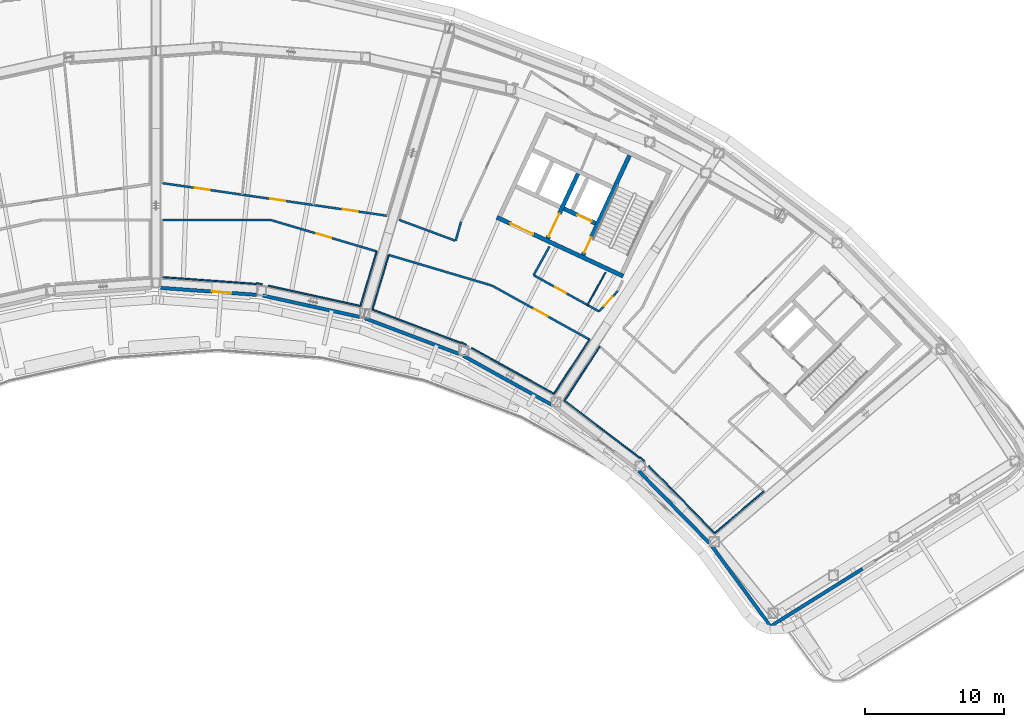
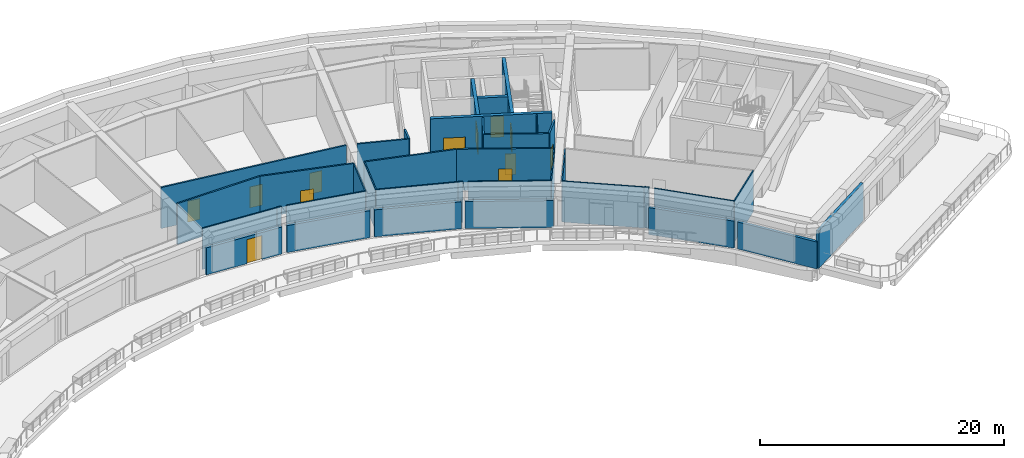
# One storey, part 10 of 26: 36 walls, 12 doors, 12 openings.
"""IFC4 building model written with IfcOpenShell, lengths in metres."""

from ifc_helpers import new_model, si_unit, direction, frame, frame_2d, origin, place, context, subcontext, project, spatial, rectangle, extrude, material, layer, layer_set, type_object, element, fill, save


model = new_model("IFC4")

# Units and contexts
model_context = context("Model", 3, precision=1e-05, world=origin(), true_north=direction((0.0, 1.0)))
body_context = subcontext(model_context, "Body", "Model", "MODEL_VIEW")
ifc_project = project(units=[si_unit("LENGTHUNIT", "METRE"), si_unit("AREAUNIT", "SQUARE_METRE"), si_unit("VOLUMEUNIT", "CUBIC_METRE"), si_unit("PLANEANGLEUNIT", "RADIAN"), si_unit("MASSUNIT", "GRAM", prefix="KILO")], contexts=[model_context])

# Site, building, storey
site_placement = place(None, origin())
site = spatial("IfcSite", under=ifc_project, at=site_placement, CompositionType="ELEMENT")
building_placement = place(site_placement, origin())
building = spatial("IfcBuilding", under=site, at=building_placement, Name="Tuul Gate Civic Tower", CompositionType="ELEMENT")
storey_placement = place(building_placement, frame((0.0, 0.0, 167.60009765625)))
storey = spatial("IfcBuildingStorey", under=building, at=storey_placement, Name="Plant and refuge floor 5", CompositionType="ELEMENT", Elevation=167.60009765625)

# Wall, opening, door
ifc_material_1 = material(Name="Concrete C50/60", Category="concrete")
ifc_layer_1 = layer(ifc_material_1, 0.300048828125)
ifc_layer_set_1 = layer_set([ifc_layer_1], Name="Concrete C50/60")
wall_type_1 = type_object("IfcWallType", Name="Core wall C50/60", PredefinedType="SHEAR", material=ifc_layer_set_1)
wall_1_placement = place(storey_placement, frame((34.5283203125, -7.25, 0.0), z_axis=(0.0, 0.0, 1.0), x_axis=(-0.906310338845, 0.422612789327, 0.0)))
wall_1 = element("IfcWall", 1, at=wall_1_placement, inside=storey, type_object=wall_type_1, Name="Core wall", PredefinedType="SHEAR", context=body_context, shape_type="SweptSolid", body=[
    extrude(rectangle(XDim=9.999755859375, YDim=0.300048828125, at=frame_2d((5.0, 0.0))), origin(), (0.0, 0.0, 1.0), 4.099853515625),
])
opening_1_placement = place(wall_1_placement, frame((7.125, 0.0, 0.0)))
opening_1 = element("IfcOpeningElement", 2, at=opening_1_placement, cuts=wall_1, Name="Opening LB-E3-LOBBY-1", PredefinedType="OPENING", context=body_context, shape_type="SweptSolid", body=[
    extrude(rectangle(XDim=1.800048828125, YDim=2.10009765625, at=frame_2d((0.89990234375, 1.050048828125))), frame((0.0, 0.16015625, 0.0), z_axis=(0.0, -1.0, 0.0), x_axis=(1.0, 0.0, 0.0)), (0.0, 0.0, 1.0), 0.320068359375),
])
ifc_material_2 = material(Name="Steel", Category="steel")
door_type_1 = type_object("IfcDoorType", Name="Lobby door", OperationType="DOUBLE_DOOR_SINGLE_SWING", PredefinedType="DOOR", material=ifc_material_2)
door_1_placement = place(opening_1_placement, origin())
door_1 = element("IfcDoor", 3, at=door_1_placement, inside=storey, type_object=door_type_1, Name="Lobby door E3-LOBBY", OperationType="DOUBLE_DOOR_SINGLE_SWING", OverallHeight=2.10009765625, OverallWidth=1.800048828125, PredefinedType="DOOR", context=body_context, shape_type="SweptSolid", body=[
    extrude(rectangle(XDim=1.800048828125, YDim=2.10009765625, at=frame_2d((0.89990234375, 1.050048828125))), frame((0.0, 0.02490234375, 0.0), z_axis=(0.0, -1.0, 0.0), x_axis=(1.0, 0.0, 0.0)), (0.0, 0.0, 1.0), 0.050048828125),
])
fill(opening_1, door_1)

wall_2_placement = place(storey_placement, frame((32.545654296875, -3.456787109375, 0.0), z_axis=(0.0, 0.0, 1.0), x_axis=(-0.906300357825, 0.42263419337, 0.0)))
wall_2 = element("IfcWall", 4, at=wall_2_placement, inside=storey, type_object=wall_type_1, Name="Core wall", PredefinedType="SHEAR", context=body_context, shape_type="SweptSolid", body=[
    extrude(rectangle(XDim=2.500244140625, YDim=0.300048828125, at=frame_2d((1.25, 0.0))), origin(), (0.0, 0.0, 1.0), 4.099853515625),
])
opening_2_placement = place(wall_2_placement, frame((0.324951171875, 0.0, 0.0)))
opening_2 = element("IfcOpeningElement", 5, at=opening_2_placement, cuts=wall_2, Name="Opening LD-FF-2", PredefinedType="OPENING", context=body_context, shape_type="SweptSolid", body=[
    extrude(rectangle(XDim=1.10009765625, YDim=2.10009765625, at=frame_2d((0.550048828125, 1.050048828125))), frame((0.0, 0.16015625, 0.0), z_axis=(0.0, -1.0, 0.0), x_axis=(1.0, 0.0, 0.0)), (0.0, 0.0, 1.0), 0.320068359375),
])
ifc_material_3 = material(Name="Stainless steel", Category="steel")
door_type_2 = type_object("IfcDoorType", Name="Landing door", OperationType="DOUBLE_DOOR_SLIDING", PredefinedType="DOOR", material=ifc_material_3)
door_2_placement = place(opening_2_placement, origin())
door_2 = element("IfcDoor", 6, at=door_2_placement, inside=storey, type_object=door_type_2, Name="Fire-fighting lift FF-2 landing door", OperationType="DOUBLE_DOOR_SLIDING", OverallHeight=2.10009765625, OverallWidth=1.10009765625, PredefinedType="DOOR", context=body_context, shape_type="SweptSolid", body=[
    extrude(rectangle(XDim=1.10009765625, YDim=2.10009765625, at=frame_2d((0.550048828125, 1.050048828125))), frame((0.0, 0.02490234375, 0.0), z_axis=(0.0, -1.0, 0.0), x_axis=(1.0, 0.0, 0.0)), (0.0, 0.0, 1.0), 0.050048828125),
])
fill(opening_2, door_2)

wall_3_placement = place(storey_placement, frame((31.646240234375, -5.740478515625, 0.0), z_axis=(0.0, 0.0, 1.0), x_axis=(0.422582604137, 0.906324413596, 0.0)))
wall_3 = element("IfcWall", 7, at=wall_3_placement, inside=storey, type_object=wall_type_1, Name="Core wall", PredefinedType="SHEAR", context=body_context, shape_type="SweptSolid", body=[
    extrude(rectangle(XDim=7.89990234375, YDim=0.300048828125, at=frame_2d((3.949951171875, 0.0))), origin(), (0.0, 0.0, 1.0), 4.099853515625),
])
opening_3_placement = place(wall_3_placement, frame((0.199951171875, 0.0, 0.0)))
opening_3 = element("IfcOpeningElement", 8, at=opening_3_placement, cuts=wall_3, Name="Opening SD-ST-4", PredefinedType="OPENING", context=body_context, shape_type="SweptSolid", body=[
    extrude(rectangle(XDim=1.199951171875, YDim=2.10009765625, at=frame_2d((0.60009765625, 1.050048828125))), frame((0.0, 0.16015625, 0.0), z_axis=(0.0, -1.0, 0.0), x_axis=(1.0, 0.0, 0.0)), (0.0, 0.0, 1.0), 0.320068359375),
])
ifc_material_4 = material(Name="Steel", Category="steel")
door_type_3 = type_object("IfcDoorType", Name="Stair door", OperationType="NOTDEFINED", PredefinedType="DOOR", material=ifc_material_4)
door_3_placement = place(opening_3_placement, origin())
door_3 = element("IfcDoor", 9, at=door_3_placement, inside=storey, type_object=door_type_3, Name="Stair door ST-4", OperationType="SINGLE_SWING_LEFT", OverallHeight=2.10009765625, OverallWidth=1.199951171875, PredefinedType="DOOR", context=body_context, shape_type="SweptSolid", body=[
    extrude(rectangle(XDim=1.199951171875, YDim=2.10009765625, at=frame_2d((0.60009765625, 1.050048828125))), frame((0.0, 0.02490234375, 0.0), z_axis=(0.0, -1.0, 0.0), x_axis=(1.0, 0.0, 0.0)), (0.0, 0.0, 1.0), 0.050048828125),
])
fill(opening_3, door_3)

wall_4_placement = place(storey_placement, frame((29.108642578125, -4.557373046875, 0.0), z_axis=(0.0, 0.0, 1.0), x_axis=(0.422566235356, 0.90633204552, 0.0)))
wall_4 = element("IfcWall", 10, at=wall_4_placement, inside=storey, type_object=wall_type_1, Name="Core wall", PredefinedType="SHEAR", context=body_context, shape_type="SweptSolid", body=[
    extrude(rectangle(XDim=5.150146484375, YDim=0.300048828125, at=frame_2d((2.5751953125, 0.0))), origin(), (0.0, 0.0, 1.0), 4.099853515625),
])
opening_4_placement = place(wall_4_placement, frame((0.175048828125, 0.0, 0.0)))
opening_4 = element("IfcOpeningElement", 11, at=opening_4_placement, cuts=wall_4, Name="Opening LB-E3-FLOBBY-1", PredefinedType="OPENING", context=body_context, shape_type="SweptSolid", body=[
    extrude(rectangle(XDim=1.800048828125, YDim=2.10009765625, at=frame_2d((0.89990234375, 1.050048828125))), frame((0.0, 0.16015625, 0.0), z_axis=(0.0, -1.0, 0.0), x_axis=(1.0, 0.0, 0.0)), (0.0, 0.0, 1.0), 0.320068359375),
])
door_4_placement = place(opening_4_placement, frame((1.800048828125, 0.0, 0.0), z_axis=(0.0, 0.0, 1.0), x_axis=(-1.0, 0.0, 0.0)))
door_4 = element("IfcDoor", 12, at=door_4_placement, inside=storey, type_object=door_type_1, Name="Lobby door E3-FLOBBY", OperationType="DOUBLE_DOOR_SINGLE_SWING", OverallHeight=2.10009765625, OverallWidth=1.800048828125, PredefinedType="DOOR", context=body_context, shape_type="SweptSolid", body=[
    extrude(rectangle(XDim=1.800048828125, YDim=2.10009765625, at=frame_2d((0.900146484375, 1.050048828125))), frame((0.0, 0.02490234375, 0.0), z_axis=(0.0, -1.0, 0.0), x_axis=(1.0, 0.0, 0.0)), (0.0, 0.0, 1.0), 0.050048828125),
])
fill(opening_4, door_4)

# Wall
ifc_material_5 = material(Name="Gypsum board partition")
ifc_layer_2 = layer(ifc_material_5, 0.14990234375)
ifc_layer_set_2 = layer_set([ifc_layer_2], Name="Gypsum board partition")
wall_type_2 = type_object("IfcWallType", Name="Corridor wall P150", PredefinedType="PARTITIONING", material=ifc_layer_set_2)
wall_5_placement = place(storey_placement, frame((28.101318359375, -7.18017578125, 0.0), z_axis=(0.0, 0.0, 1.0), x_axis=(0.484253624903, 0.874927669449, 0.0)))
element("IfcWall", 13, at=wall_5_placement, inside=storey, type_object=wall_type_2, Name="p001", PredefinedType="PARTITIONING", context=body_context, shape_type="SweptSolid", body=[
    extrude(rectangle(XDim=2.3583984375, YDim=0.14990234375, at=frame_2d((1.17919921875, 0.0))), origin(), (0.0, 0.0, 1.0), 4.099853515625),
])

# Wall, opening, door
wall_6_placement = place(storey_placement, frame((28.101318359375, -7.18017578125, 0.0), z_axis=(0.0, 0.0, 1.0), x_axis=(0.87496271373, -0.484190303065, 0.0)))
wall_6 = element("IfcWall", 14, at=wall_6_placement, inside=storey, type_object=wall_type_2, Name="p002", PredefinedType="PARTITIONING", context=body_context, shape_type="SweptSolid", body=[
    extrude(rectangle(XDim=5.367919921875, YDim=0.14990234375, at=frame_2d((2.68408203125, 0.0))), origin(), (0.0, 0.0, 1.0), 4.099853515625),
])
opening_5_placement = place(wall_6_placement, frame((1.760009765625, 0.0, 0.0)))
opening_5 = element("IfcOpeningElement", 15, at=opening_5_placement, cuts=wall_6, Name="Opening PB-D01", PredefinedType="OPENING", context=body_context, shape_type="SweptSolid", body=[
    extrude(rectangle(XDim=0.89990234375, YDim=2.10009765625, at=frame_2d((0.449951171875, 1.050048828125))), frame((0.0, 0.0849609375, 0.0), z_axis=(0.0, -1.0, 0.0), x_axis=(1.0, 0.0, 0.0)), (0.0, 0.0, 1.0), 0.169921875),
])
ifc_material_6 = material(Name="Timber door leaf", Category="wood")
door_type_4 = type_object("IfcDoorType", Name="Door D09", OperationType="NOTDEFINED", PredefinedType="DOOR", material=ifc_material_6)
door_5_placement = place(opening_5_placement, origin())
door_5 = element("IfcDoor", 16, at=door_5_placement, inside=storey, type_object=door_type_4, Name="Door PB-D01", OperationType="SINGLE_SWING_RIGHT", OverallHeight=2.10009765625, OverallWidth=0.89990234375, PredefinedType="DOOR", context=body_context, shape_type="SweptSolid", body=[
    extrude(rectangle(XDim=0.89990234375, YDim=2.10009765625, at=frame_2d((0.449951171875, 1.050048828125))), frame((0.0, 0.02490234375, 0.0), z_axis=(0.0, -1.0, 0.0), x_axis=(1.0, 0.0, 0.0)), (0.0, 0.0, 1.0), 0.050048828125),
])
fill(opening_5, door_5)

wall_7_placement = place(storey_placement, frame((25.11083984375, -7.92529296875, 0.0), z_axis=(0.0, 0.0, 1.0), x_axis=(0.87496224596, -0.484191148354, 0.0)))
wall_7 = element("IfcWall", 17, at=wall_7_placement, inside=storey, type_object=wall_type_2, Name="p033", PredefinedType="PARTITIONING", context=body_context, shape_type="SweptSolid", body=[
    extrude(rectangle(XDim=7.99951171875, YDim=0.14990234375, at=frame_2d((3.999755859375, 0.0))), origin(), (0.0, 0.0, 1.0), 4.099853515625),
])
opening_6_placement = place(wall_7_placement, frame((3.44970703125, 0.0, 0.0)))
opening_6 = element("IfcOpeningElement", 18, at=opening_6_placement, cuts=wall_7, Name="Opening PB-D09", PredefinedType="OPENING", context=body_context, shape_type="SweptSolid", body=[
    extrude(rectangle(XDim=1.10009765625, YDim=2.10009765625, at=frame_2d((0.550048828125, 1.050048828125))), frame((0.0, 0.0849609375, 0.0), z_axis=(0.0, -1.0, 0.0), x_axis=(1.0, 0.0, 0.0)), (0.0, 0.0, 1.0), 0.169921875),
])
ifc_material_7 = material(Name="Timber door leaf", Category="wood")
door_type_5 = type_object("IfcDoorType", Name="Door D11", OperationType="NOTDEFINED", PredefinedType="DOOR", material=ifc_material_7)
door_6_placement = place(opening_6_placement, frame((1.10009765625, 0.0, 0.0), z_axis=(0.0, 0.0, 1.0), x_axis=(-1.0, 0.0, 0.0)))
door_6 = element("IfcDoor", 19, at=door_6_placement, inside=storey, type_object=door_type_5, Name="Door PB-D09", OperationType="SINGLE_SWING_LEFT", OverallHeight=2.10009765625, OverallWidth=1.10009765625, PredefinedType="DOOR", context=body_context, shape_type="SweptSolid", body=[
    extrude(rectangle(XDim=1.10009765625, YDim=2.10009765625, at=frame_2d((0.550048828125, 1.050048828125))), frame((0.0, 0.02490234375, 0.0), z_axis=(0.0, -1.0, 0.0), x_axis=(1.0, 0.0, 0.0)), (0.0, 0.0, 1.0), 0.050048828125),
])
fill(opening_6, door_6)

wall_8_placement = place(storey_placement, frame((9.25927734375, -3.226318359375, 0.0), z_axis=(0.0, 0.0, 1.0), x_axis=(0.958769728687, -0.2841841082, 0.0)))
wall_8 = element("IfcWall", 20, at=wall_8_placement, inside=storey, type_object=wall_type_2, Name="p034", PredefinedType="PARTITIONING", context=body_context, shape_type="SweptSolid", body=[
    extrude(rectangle(XDim=7.897705078125, YDim=0.14990234375, at=frame_2d((3.94873046875, 0.0))), origin(), (0.0, 0.0, 1.0), 4.099853515625),
])
opening_7_placement = place(wall_8_placement, frame((3.39892578125, 0.0, 0.0)))
opening_7 = element("IfcOpeningElement", 21, at=opening_7_placement, cuts=wall_8, Name="Opening PB-D14", PredefinedType="OPENING", context=body_context, shape_type="SweptSolid", body=[
    extrude(rectangle(XDim=1.10009765625, YDim=2.10009765625, at=frame_2d((0.550048828125, 1.050048828125))), frame((0.0, 0.0849609375, 0.0), z_axis=(0.0, -1.0, 0.0), x_axis=(1.0, 0.0, 0.0)), (0.0, 0.0, 1.0), 0.169921875),
])
door_7_placement = place(opening_7_placement, frame((1.10009765625, 0.0, 0.0), z_axis=(0.0, 0.0, 1.0), x_axis=(-1.0, 0.0, 0.0)))
door_7 = element("IfcDoor", 22, at=door_7_placement, inside=storey, type_object=door_type_5, Name="Door PB-D14", OperationType="SINGLE_SWING_LEFT", OverallHeight=2.10009765625, OverallWidth=1.10009765625, PredefinedType="DOOR", context=body_context, shape_type="SweptSolid", body=[
    extrude(rectangle(XDim=1.10009765625, YDim=2.10009765625, at=frame_2d((0.550048828125, 1.050048828125))), frame((0.0, 0.02490234375, 0.0), z_axis=(0.0, -1.0, 0.0), x_axis=(1.0, 0.0, 0.0)), (0.0, 0.0, 1.0), 0.050048828125),
])
fill(opening_7, door_7)

# Walls
wall_9_placement = place(storey_placement, frame((17.694091796875, -5.7265625, 0.0), z_axis=(0.0, 0.0, 1.0), x_axis=(0.958776129295, -0.284162513175, 0.0)))
element("IfcWall", 23, at=wall_9_placement, inside=storey, type_object=wall_type_2, Name="p035", PredefinedType="PARTITIONING", context=body_context, shape_type="SweptSolid", body=[
    extrude(rectangle(XDim=7.7314453125, YDim=0.14990234375, at=frame_2d((3.86572265625, 0.0))), origin(), (0.0, 0.0, 1.0), 4.099853515625),
])
wall_10_placement = place(storey_placement, frame((22.509765625, -4.694580078125, 0.0), z_axis=(0.0, 0.0, 1.0), x_axis=(0.269448204908, 0.963014882996, 0.0)))
element("IfcWall", 24, at=wall_10_placement, inside=storey, type_object=wall_type_2, Name="p036", PredefinedType="PARTITIONING", context=body_context, shape_type="SweptSolid", body=[
    extrude(rectangle(XDim=1.395263671875, YDim=0.14990234375, at=frame_2d((0.69775390625, 0.0))), origin(), (0.0, 0.0, 1.0), 4.099853515625),
])
wall_11_placement = place(storey_placement, frame((18.444091796875, -3.206787109375, 0.0), z_axis=(0.0, 0.0, 1.0), x_axis=(0.937356568757, -0.348371444019, 0.0)))
element("IfcWall", 25, at=wall_11_placement, inside=storey, type_object=wall_type_2, Name="p037", PredefinedType="PARTITIONING", context=body_context, shape_type="SweptSolid", body=[
    extrude(rectangle(XDim=4.309326171875, YDim=0.14990234375, at=frame_2d((2.15478515625, 0.0))), origin(), (0.0, 0.0, 1.0), 4.099853515625),
])

# Wall, openings, doors
wall_12_placement = place(storey_placement, frame((1.43994140625, -0.56787109375, 0.0), z_axis=(0.0, 0.0, 1.0), x_axis=(0.989616826982, -0.143730775249, 0.0)))
wall_12 = element("IfcWall", 26, at=wall_12_placement, inside=storey, type_object=wall_type_2, Name="p039", PredefinedType="PARTITIONING", context=body_context, shape_type="SweptSolid", body=[
    extrude(rectangle(XDim=16.32177734375, YDim=0.14990234375, at=frame_2d((8.160888671875, 0.0))), origin(), (0.0, 0.0, 1.0), 4.099853515625),
])
opening_8_placement = place(wall_12_placement, frame((13.09326171875, 0.0, 0.0)))
opening_8 = element("IfcOpeningElement", 27, at=opening_8_placement, cuts=wall_12, Name="Opening PB-D11", PredefinedType="OPENING", context=body_context, shape_type="SweptSolid", body=[
    extrude(rectangle(XDim=1.10009765625, YDim=2.10009765625, at=frame_2d((0.550048828125, 1.050048828125))), frame((0.0, 0.0849609375, 0.0), z_axis=(0.0, -1.0, 0.0), x_axis=(1.0, 0.0, 0.0)), (0.0, 0.0, 1.0), 0.169921875),
])
opening_9_placement = place(wall_12_placement, frame((7.831787109375, 0.0, 0.0)))
opening_9 = element("IfcOpeningElement", 28, at=opening_9_placement, cuts=wall_12, Name="Opening PB-D12", PredefinedType="OPENING", context=body_context, shape_type="SweptSolid", body=[
    extrude(rectangle(XDim=1.10009765625, YDim=2.10009765625, at=frame_2d((0.550048828125, 1.050048828125))), frame((0.0, 0.0849609375, 0.0), z_axis=(0.0, -1.0, 0.0), x_axis=(1.0, 0.0, 0.0)), (0.0, 0.0, 1.0), 0.169921875),
])
opening_10_placement = place(wall_12_placement, frame((2.349365234375, 0.0, 0.0)))
opening_10 = element("IfcOpeningElement", 29, at=opening_10_placement, cuts=wall_12, Name="Opening PB-D13", PredefinedType="OPENING", context=body_context, shape_type="SweptSolid", body=[
    extrude(rectangle(XDim=1.10009765625, YDim=2.10009765625, at=frame_2d((0.550048828125, 1.050048828125))), frame((0.0, 0.0849609375, 0.0), z_axis=(0.0, -1.0, 0.0), x_axis=(1.0, 0.0, 0.0)), (0.0, 0.0, 1.0), 0.169921875),
])
door_8_placement = place(opening_8_placement, origin())
door_8 = element("IfcDoor", 30, at=door_8_placement, inside=storey, type_object=door_type_5, Name="Door PB-D11", OperationType="SINGLE_SWING_RIGHT", OverallHeight=2.10009765625, OverallWidth=1.10009765625, PredefinedType="DOOR", context=body_context, shape_type="SweptSolid", body=[
    extrude(rectangle(XDim=1.10009765625, YDim=2.10009765625, at=frame_2d((0.550048828125, 1.050048828125))), frame((0.0, 0.02490234375, 0.0), z_axis=(0.0, -1.0, 0.0), x_axis=(1.0, 0.0, 0.0)), (0.0, 0.0, 1.0), 0.050048828125),
])
fill(opening_8, door_8)
door_9_placement = place(opening_9_placement, origin())
door_9 = element("IfcDoor", 31, at=door_9_placement, inside=storey, type_object=door_type_5, Name="Door PB-D12", OperationType="SINGLE_SWING_RIGHT", OverallHeight=2.10009765625, OverallWidth=1.10009765625, PredefinedType="DOOR", context=body_context, shape_type="SweptSolid", body=[
    extrude(rectangle(XDim=1.10009765625, YDim=2.10009765625, at=frame_2d((0.550048828125, 1.050048828125))), frame((0.0, 0.02490234375, 0.0), z_axis=(0.0, -1.0, 0.0), x_axis=(1.0, 0.0, 0.0)), (0.0, 0.0, 1.0), 0.050048828125),
])
fill(opening_9, door_9)
door_10_placement = place(opening_10_placement, origin())
door_10 = element("IfcDoor", 32, at=door_10_placement, inside=storey, type_object=door_type_5, Name="Door PB-D13", OperationType="SINGLE_SWING_RIGHT", OverallHeight=2.10009765625, OverallWidth=1.10009765625, PredefinedType="DOOR", context=body_context, shape_type="SweptSolid", body=[
    extrude(rectangle(XDim=1.10009765625, YDim=2.10009765625, at=frame_2d((0.550048828125, 1.050048828125))), frame((0.0, 0.02490234375, 0.0), z_axis=(0.0, -1.0, 0.0), x_axis=(1.0, 0.0, 0.0)), (0.0, 0.0, 1.0), 0.050048828125),
])
fill(opening_10, door_10)

# Wall
wall_13_placement = place(storey_placement, frame((1.43994140625, -3.2255859375, 0.0), z_axis=(0.0, 0.0, 1.0), x_axis=(1.0, 0.0, 0.0)))
element("IfcWall", 33, at=wall_13_placement, inside=storey, type_object=wall_type_2, Name="p042", PredefinedType="PARTITIONING", context=body_context, shape_type="SweptSolid", body=[
    extrude(rectangle(XDim=7.8134765625, YDim=0.14990234375, at=frame_2d((3.90673828125, 0.0))), origin(), (0.0, 0.0, 1.0), 4.099853515625),
])

# Wall, opening, door
wall_14_placement = place(storey_placement, frame((32.798095703125, -9.779296875, 0.0), z_axis=(0.0, 0.0, 1.0), x_axis=(0.677203492408, 0.735795780003, 0.0)))
wall_14 = element("IfcWall", 34, at=wall_14_placement, inside=storey, type_object=wall_type_2, Name="p062", PredefinedType="PARTITIONING", context=body_context, shape_type="SweptSolid", body=[
    extrude(rectangle(XDim=1.979248046875, YDim=0.14990234375, at=frame_2d((0.98974609375, 0.0))), origin(), (0.0, 0.0, 1.0), 4.099853515625),
])
opening_11_placement = place(wall_14_placement, frame((0.53955078125, 0.0, 0.0)))
opening_11 = element("IfcOpeningElement", 35, at=opening_11_placement, cuts=wall_14, Name="Opening PB-D24", PredefinedType="OPENING", context=body_context, shape_type="SweptSolid", body=[
    extrude(rectangle(XDim=0.89990234375, YDim=2.10009765625, at=frame_2d((0.449951171875, 1.050048828125))), frame((0.0, 0.0849609375, 0.0), z_axis=(0.0, -1.0, 0.0), x_axis=(1.0, 0.0, 0.0)), (0.0, 0.0, 1.0), 0.169921875),
])
door_11_placement = place(opening_11_placement, origin())
door_11 = element("IfcDoor", 36, at=door_11_placement, inside=storey, type_object=door_type_4, Name="Door PB-D24", OperationType="SINGLE_SWING_LEFT", OverallHeight=2.10009765625, OverallWidth=0.89990234375, PredefinedType="DOOR", context=body_context, shape_type="SweptSolid", body=[
    extrude(rectangle(XDim=0.89990234375, YDim=2.10009765625, at=frame_2d((0.449951171875, 1.050048828125))), frame((0.0, 0.02490234375, 0.0), z_axis=(0.0, -1.0, 0.0), x_axis=(1.0, 0.0, 0.0)), (0.0, 0.0, 1.0), 0.050048828125),
])
fill(opening_11, door_11)

# Wall
ifc_material_8 = material(Name="Precast concrete C40/50", Category="concrete")
ifc_layer_3 = layer(ifc_material_8, 0.25)
ifc_layer_set_3 = layer_set([ifc_layer_3], Name="Precast concrete C40/50")
wall_type_3 = type_object("IfcWallType", Name="External wall", PredefinedType="STANDARD", material=ifc_layer_set_3)
wall_15_placement = place(storey_placement, frame((45.109619140625, -32.3896484375, 0.0), z_axis=(0.0, 0.0, 1.0), x_axis=(0.848047613046, 0.52992003737, 0.0)))
element("IfcWall", 37, at=wall_15_placement, inside=storey, type_object=wall_type_3, Name="External wall", PredefinedType="STANDARD", context=body_context, shape_type="SweptSolid", body=[
    extrude(rectangle(XDim=7.787841796875, YDim=0.25, at=frame_2d((3.89404296875, 0.0))), origin(), (0.0, 0.0, 1.0), 3.75),
])

# Wall, opening, door
ifc_material_9 = material(Name="Precast concrete C40/50", Category="concrete")
ifc_layer_4 = layer(ifc_material_9, 0.25)
ifc_layer_set_4 = layer_set([ifc_layer_4], Name="Precast concrete C40/50")
wall_type_4 = type_object("IfcWallType", Name="External wall 2700 HIGH", PredefinedType="STANDARD", material=ifc_layer_set_4)
wall_16_placement = place(storey_placement, frame((1.32568359375, -8.090087890625, 0.0), z_axis=(0.0, 0.0, 1.0), x_axis=(0.997384574327, -0.072277319362, 0.0)))
wall_16 = element("IfcWall", 38, at=wall_16_placement, inside=storey, type_object=wall_type_4, Name="External wall", PredefinedType="STANDARD", context=body_context, shape_type="SweptSolid", body=[
    extrude(rectangle(XDim=6.904296875, YDim=0.25, at=frame_2d((3.4521484375, 0.0))), origin(), (0.0, 0.0, 1.0), 2.699951171875),
])
opening_12_placement = place(wall_16_placement, frame((3.68603515625, 0.0, 0.0)))
opening_12 = element("IfcOpeningElement", 39, at=opening_12_placement, cuts=wall_16, Name="Opening TD", PredefinedType="OPENING", context=body_context, shape_type="SweptSolid", body=[
    extrude(rectangle(XDim=1.39990234375, YDim=2.39990234375, at=frame_2d((0.699951171875, 1.199951171875))), frame((0.0, 0.135009765625, 0.0), z_axis=(0.0, -1.0, 0.0), x_axis=(1.0, 0.0, 0.0)), (0.0, 0.0, 1.0), 0.27001953125),
])
ifc_material_10 = material(Name="Glazed aluminium", Category="aluminium")
door_type_6 = type_object("IfcDoorType", Name="Terrace door", OperationType="DOUBLE_DOOR_SINGLE_SWING", PredefinedType="DOOR", material=ifc_material_10)
door_12_placement = place(opening_12_placement, frame((1.39990234375, 0.0, 0.0), z_axis=(0.0, 0.0, 1.0), x_axis=(-1.0, 0.0, 0.0)))
door_12 = element("IfcDoor", 40, at=door_12_placement, inside=storey, type_object=door_type_6, Name="Terrace door", OperationType="DOUBLE_DOOR_SINGLE_SWING", OverallHeight=2.39990234375, OverallWidth=1.39990234375, PredefinedType="DOOR", context=body_context, shape_type="SweptSolid", body=[
    extrude(rectangle(XDim=1.39990234375, YDim=2.39990234375, at=frame_2d((0.699951171875, 1.199951171875))), frame((0.0, 0.02490234375, 0.0), z_axis=(0.0, -1.0, 0.0), x_axis=(1.0, 0.0, 0.0)), (0.0, 0.0, 1.0), 0.050048828125),
])
fill(opening_12, door_12)

# Walls
wall_17_placement = place(storey_placement, frame((8.64208984375, -8.638916015625, 0.0), z_axis=(0.0, 0.0, 1.0), x_axis=(0.976560720559, -0.215242094075, 0.0)))
element("IfcWall", 41, at=wall_17_placement, inside=storey, type_object=wall_type_4, Name="External wall", PredefinedType="STANDARD", context=body_context, shape_type="SweptSolid", body=[
    extrude(rectangle(XDim=7.151611328125, YDim=0.25, at=frame_2d((3.57568359375, 0.0))), origin(), (0.0, 0.0, 1.0), 2.699951171875),
])
wall_18_placement = place(storey_placement, frame((15.983642578125, -10.27294921875, 0.0), z_axis=(0.0, 0.0, 1.0), x_axis=(0.935366815182, -0.353679121602, 0.0)))
element("IfcWall", 42, at=wall_18_placement, inside=storey, type_object=wall_type_4, Name="External wall", PredefinedType="STANDARD", context=body_context, shape_type="SweptSolid", body=[
    extrude(rectangle(XDim=7.20947265625, YDim=0.25, at=frame_2d((3.604736328125, 0.0))), origin(), (0.0, 0.0, 1.0), 2.699951171875),
])
wall_19_placement = place(storey_placement, frame((23.038330078125, -12.9580078125, 0.0), z_axis=(0.0, 0.0, 1.0), x_axis=(0.874628034844, -0.484794596364, 0.0)))
element("IfcWall", 43, at=wall_19_placement, inside=storey, type_object=wall_type_4, Name="External wall", PredefinedType="STANDARD", context=body_context, shape_type="SweptSolid", body=[
    extrude(rectangle(XDim=7.234619140625, YDim=0.25, at=frame_2d((3.6171875, 0.0))), origin(), (0.0, 0.0, 1.0), 2.699951171875),
])
wall_20_placement = place(storey_placement, frame((35.643798828125, -21.237060546875, 0.0), z_axis=(0.0, 0.0, 1.0), x_axis=(0.700103722568, -0.71404115963, 0.0)))
element("IfcWall", 44, at=wall_20_placement, inside=storey, type_object=wall_type_4, Name="External wall", PredefinedType="STANDARD", context=body_context, shape_type="SweptSolid", body=[
    extrude(rectangle(XDim=7.251953125, YDim=0.25, at=frame_2d((3.6259765625, 0.0))), origin(), (0.0, 0.0, 1.0), 2.699951171875),
])
wall_21_placement = place(storey_placement, frame((40.9248046875, -26.658935546875, 0.0), z_axis=(0.0, 0.0, 1.0), x_axis=(0.589739654105, -0.807593425169, 0.0)))
element("IfcWall", 45, at=wall_21_placement, inside=storey, type_object=wall_type_4, Name="External wall", PredefinedType="STANDARD", context=body_context, shape_type="SweptSolid", body=[
    extrude(rectangle(XDim=7.095947265625, YDim=0.25, at=frame_2d((3.5478515625, 0.0))), origin(), (0.0, 0.0, 1.0), 2.699951171875),
])
ifc_material_11 = material(Name="Gypsum board partition")
ifc_layer_5 = layer(ifc_material_11, 0.10009765625)
ifc_layer_set_5 = layer_set([ifc_layer_5], Name="Gypsum board partition")
wall_type_5 = type_object("IfcWallType", Name="Partition P100", PredefinedType="PARTITIONING", material=ifc_layer_set_5)
wall_22_placement = place(storey_placement, frame((31.96875, -9.3203125, 0.0), z_axis=(0.0, 0.0, 1.0), x_axis=(0.484171845238, 0.87497292774, 0.0)))
element("IfcWall", 46, at=wall_22_placement, inside=storey, type_object=wall_type_5, Name="p003", PredefinedType="PARTITIONING", context=body_context, shape_type="SweptSolid", body=[
    extrude(rectangle(XDim=2.664306640625, YDim=0.10009765625, at=frame_2d((1.33203125, 0.0))), origin(), (0.0, 0.0, 1.0), 4.099853515625),
])
wall_23_placement = place(storey_placement, frame((44.626708984375, -22.705078125, 0.0), z_axis=(0.0, 0.0, 1.0), x_axis=(-0.76281923696, -0.646611793678, 0.0)))
element("IfcWall", 47, at=wall_23_placement, inside=storey, type_object=wall_type_5, Name="p074", PredefinedType="PARTITIONING", context=body_context, shape_type="SweptSolid", body=[
    extrude(rectangle(XDim=4.6240234375, YDim=0.10009765625, at=frame_2d((2.31201171875, 0.0))), origin(), (0.0, 0.0, 1.0), 4.099853515625),
])
wall_24_placement = place(storey_placement, frame((41.099365234375, -25.695068359375, 0.0), z_axis=(0.0, 0.0, 1.0), x_axis=(-0.699945470534, 0.71419628834, 0.0)))
element("IfcWall", 48, at=wall_24_placement, inside=storey, type_object=wall_type_5, Name="p075", PredefinedType="PARTITIONING", context=body_context, shape_type="SweptSolid", body=[
    extrude(rectangle(XDim=6.7841796875, YDim=0.10009765625, at=frame_2d((3.39208984375, 0.0))), origin(), (0.0, 0.0, 1.0), 4.099853515625),
])
wall_25_placement = place(storey_placement, frame((36.055419921875, -20.548583984375, 0.0), z_axis=(0.0, 0.0, 1.0), x_axis=(-0.699755461265, 0.714382456693, 0.0)))
element("IfcWall", 49, at=wall_25_placement, inside=storey, type_object=wall_type_5, Name="p076", PredefinedType="PARTITIONING", context=body_context, shape_type="SweptSolid", body=[
    extrude(rectangle(XDim=0.417236328125, YDim=0.10009765625, at=frame_2d((0.20849609375, 0.0))), origin(), (0.0, 0.0, 1.0), 4.099853515625),
])
wall_26_placement = place(storey_placement, frame((35.719970703125, -20.293212890625, 0.0), z_axis=(0.0, 0.0, 1.0), x_axis=(-0.795665434607, 0.605736342126, 0.0)))
element("IfcWall", 50, at=wall_26_placement, inside=storey, type_object=wall_type_5, Name="p077", PredefinedType="PARTITIONING", context=body_context, shape_type="SweptSolid", body=[
    extrude(rectangle(XDim=6.784423828125, YDim=0.10009765625, at=frame_2d((3.39208984375, 0.0))), origin(), (0.0, 0.0, 1.0), 4.099853515625),
])
wall_27_placement = place(storey_placement, frame((30.32177734375, -16.18359375, 0.0), z_axis=(0.0, 0.0, 1.0), x_axis=(0.546725601834, 0.83731183934, 0.0)))
element("IfcWall", 51, at=wall_27_placement, inside=storey, type_object=wall_type_5, Name="p078", PredefinedType="PARTITIONING", context=body_context, shape_type="SweptSolid", body=[
    extrude(rectangle(XDim=4.63525390625, YDim=0.10009765625, at=frame_2d((2.317626953125, 0.0))), origin(), (0.0, 0.0, 1.0), 4.099853515625),
])
wall_28_placement = place(storey_placement, frame((32.110107421875, -11.798583984375, 0.0), z_axis=(0.0, 0.0, 1.0), x_axis=(-0.546749834847, -0.837296015812, 0.0)))
element("IfcWall", 52, at=wall_28_placement, inside=storey, type_object=wall_type_5, Name="p083", PredefinedType="PARTITIONING", context=body_context, shape_type="SweptSolid", body=[
    extrude(rectangle(XDim=4.649169921875, YDim=0.10009765625, at=frame_2d((2.32470703125, 0.0))), origin(), (0.0, 0.0, 1.0), 4.099853515625),
])
wall_29_placement = place(storey_placement, frame((29.568115234375, -15.69140625, 0.0), z_axis=(0.0, 0.0, 1.0), x_axis=(-0.874630542118, 0.484790072913, 0.0)))
element("IfcWall", 53, at=wall_29_placement, inside=storey, type_object=wall_type_5, Name="p084", PredefinedType="PARTITIONING", context=body_context, shape_type="SweptSolid", body=[
    extrude(rectangle(XDim=6.782958984375, YDim=0.10009765625, at=frame_2d((3.3916015625, 0.0))), origin(), (0.0, 0.0, 1.0), 4.099853515625),
])
wall_30_placement = place(storey_placement, frame((23.2666015625, -12.198486328125, 0.0), z_axis=(0.0, 0.0, 1.0), x_axis=(-0.874791356085, 0.484499827986, 0.0)))
element("IfcWall", 54, at=wall_30_placement, inside=storey, type_object=wall_type_5, Name="p085", PredefinedType="PARTITIONING", context=body_context, shape_type="SweptSolid", body=[
    extrude(rectangle(XDim=0.417236328125, YDim=0.10009765625, at=frame_2d((0.20849609375, 0.0))), origin(), (0.0, 0.0, 1.0), 4.099853515625),
])
wall_31_placement = place(storey_placement, frame((22.8720703125, -12.04931640625, 0.0), z_axis=(0.0, 0.0, 1.0), x_axis=(-0.935374761976, 0.353658104188, 0.0)))
element("IfcWall", 55, at=wall_31_placement, inside=storey, type_object=wall_type_5, Name="p086", PredefinedType="PARTITIONING", context=body_context, shape_type="SweptSolid", body=[
    extrude(rectangle(XDim=6.783935546875, YDim=0.10009765625, at=frame_2d((3.39208984375, 0.0))), origin(), (0.0, 0.0, 1.0), 4.099853515625),
])
wall_32_placement = place(storey_placement, frame((16.526611328125, -9.650146484375, 0.0), z_axis=(0.0, 0.0, 1.0), x_axis=(0.285196850799, 0.958468964701, 0.0)))
element("IfcWall", 56, at=wall_32_placement, inside=storey, type_object=wall_type_5, Name="p087", PredefinedType="PARTITIONING", context=body_context, shape_type="SweptSolid", body=[
    extrude(rectangle(XDim=4.093505859375, YDim=0.10009765625, at=frame_2d((2.046875, 0.0))), origin(), (0.0, 0.0, 1.0), 4.099853515625),
])
wall_33_placement = place(storey_placement, frame((16.831298828125, -5.470703125, 0.0), z_axis=(0.0, 0.0, 1.0), x_axis=(-0.285190968871, -0.958470714876, 0.0)))
element("IfcWall", 57, at=wall_33_placement, inside=storey, type_object=wall_type_5, Name="p098", PredefinedType="PARTITIONING", context=body_context, shape_type="SweptSolid", body=[
    extrude(rectangle(XDim=4.0927734375, YDim=0.10009765625, at=frame_2d((2.04638671875, 0.0))), origin(), (0.0, 0.0, 1.0), 4.099853515625),
])
wall_34_placement = place(storey_placement, frame((15.6640625, -9.3935546875, 0.0), z_axis=(0.0, 0.0, 1.0), x_axis=(-0.976560718972, 0.215242101274, 0.0)))
element("IfcWall", 58, at=wall_34_placement, inside=storey, type_object=wall_type_5, Name="p099", PredefinedType="PARTITIONING", context=body_context, shape_type="SweptSolid", body=[
    extrude(rectangle(XDim=6.783935546875, YDim=0.10009765625, at=frame_2d((3.39208984375, 0.0))), origin(), (0.0, 0.0, 1.0), 4.099853515625),
])
wall_35_placement = place(storey_placement, frame((8.626953125, -7.842529296875, 0.0), z_axis=(0.0, 0.0, 1.0), x_axis=(-0.976543679102, 0.21531939719, 0.0)))
element("IfcWall", 59, at=wall_35_placement, inside=storey, type_object=wall_type_5, Name="p100", PredefinedType="PARTITIONING", context=body_context, shape_type="SweptSolid", body=[
    extrude(rectangle(XDim=0.417236328125, YDim=0.10009765625, at=frame_2d((0.20849609375, 0.0))), origin(), (0.0, 0.0, 1.0), 4.099853515625),
])
wall_36_placement = place(storey_placement, frame((8.206298828125, -7.81201171875, 0.0), z_axis=(0.0, 0.0, 1.0), x_axis=(-0.997380470642, 0.072333925527, 0.0)))
element("IfcWall", 60, at=wall_36_placement, inside=storey, type_object=wall_type_5, Name="p101", PredefinedType="PARTITIONING", context=body_context, shape_type="SweptSolid", body=[
    extrude(rectangle(XDim=6.7841796875, YDim=0.10009765625, at=frame_2d((3.39208984375, 0.0))), origin(), (0.0, 0.0, 1.0), 4.099853515625),
])

save(model, "model.ifc")
